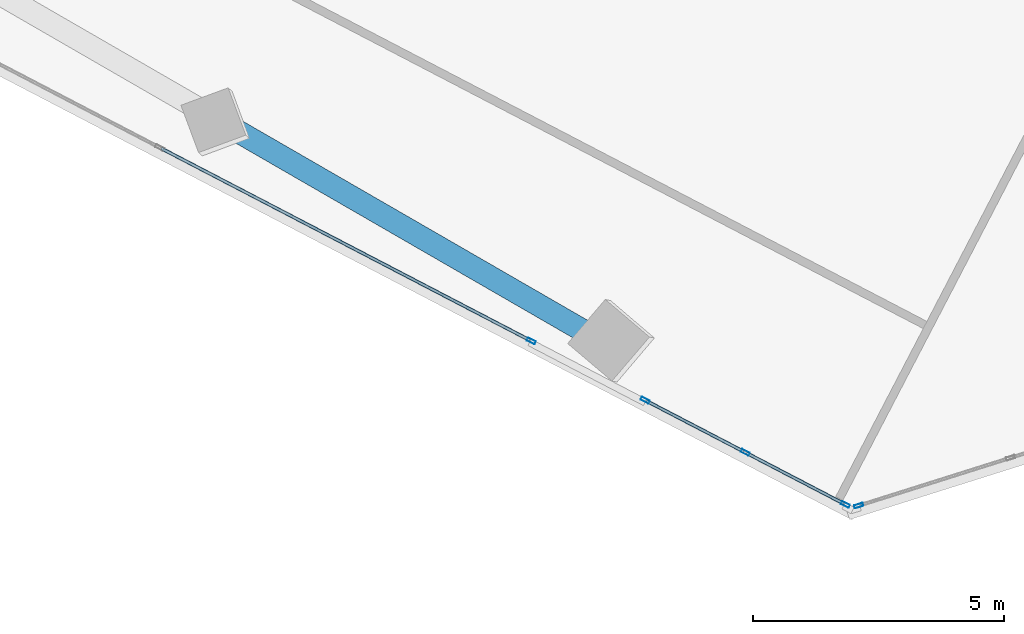
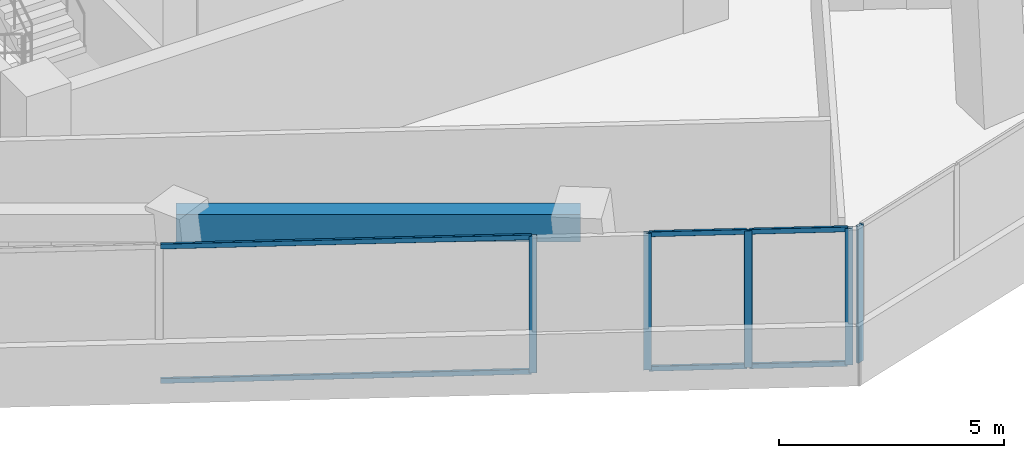
# One storey, part 3 of 22: 11 members, 1 beam, 3 elements without a shape of their own.
"""IFC4 building model written with IfcOpenShell, lengths in metres."""

from ifc_helpers import new_model, si_unit, direction, frame, origin, origin_2d, place, context, subcontext, project, spatial, rectangle, hollow_rectangle, extrude, source, transform, mapped, material, material_profile, profile_set, type_object, element, aggregate, save


model = new_model("IFC4")

# Units and contexts
model_context = context("Model", 3, precision=1e-05, world=origin(), true_north=direction((0.0, 1.0)))
body_context = subcontext(model_context, "Body", "Model", "MODEL_VIEW")
ifc_project = project(units=[si_unit("LENGTHUNIT", "METRE"), si_unit("AREAUNIT", "SQUARE_METRE"), si_unit("VOLUMEUNIT", "CUBIC_METRE"), si_unit("PLANEANGLEUNIT", "RADIAN"), si_unit("MASSUNIT", "GRAM", prefix="KILO")], contexts=[model_context])

# Site, building, storey
site_placement = place(None, origin())
site = spatial("IfcSite", under=ifc_project, at=site_placement, CompositionType="ELEMENT")
building_placement = place(site_placement, origin())
building = spatial("IfcBuilding", under=site, at=building_placement, Name="Torre Montelarca", CompositionType="ELEMENT")
storey_placement = place(building_placement, frame((0.0, 0.0, 175.0)))
storey = spatial("IfcBuildingStorey", under=building, at=storey_placement, Name="L39", CompositionType="ELEMENT", Elevation=175.0)

# Beam
ifc_material_1 = material(Name="Concrete C55/67", Category="concrete")
ifc_material_profile_1 = material_profile(ifc_material_1, rectangle(XDim=0.449951171875, YDim=0.75, at=origin_2d()), Name="RCB450X750", Category="concrete")
ifc_profile_set_1 = profile_set([ifc_material_profile_1], Name="Concrete C55/67")
beam_type = type_object("IfcBeamType", Name="BM-SP-RC750-EXT", PredefinedType="SPANDREL", material=ifc_profile_set_1)
shared_shape_1 = source(origin(), body_context, "Body", "SweptSolid", [
    extrude(rectangle(XDim=0.449951171875, YDim=0.75, at=origin_2d()), origin(), (0.0, 0.0, 1.0), 9.0),
])
beam_placement = place(storey_placement, frame((9.868896484375, 18.8544921875, 3.5849609375), z_axis=(0.866024315419, -0.5000018851, 0.0), x_axis=(0.5000018851, 0.866024315419, 0.0)))
element("IfcBeam", 1, at=beam_placement, inside=storey, type_object=beam_type, Name="L39 Grid Girder X 18.0-27.0 at Y=14.8", PredefinedType="SPANDREL", context=body_context, shape_type="MappedRepresentation", body=[
    mapped(shared_shape_1, transform((0.0, 0.0, 0.0), scale=1.0)),
])

# Curtain wall, member
ifc_material_2 = material(Name="Insulated low-E laminated glass", Category="glass")
curtain_wall_type = type_object("IfcCurtainWallType", Name="CW-SYS-Z2", PredefinedType="USERDEFINED", material=ifc_material_2)
curtain_wall_1_placement = place(storey_placement, origin())
curtain_wall_1 = element("IfcCurtainWall", 2, at=curtain_wall_1_placement, inside=storey, type_object=curtain_wall_type, Name="L39 Curtain Wall Run CW-T3-L39-E01-B1", ObjectType="UNITISED GLAZING", PredefinedType="USERDEFINED")
ifc_material_3 = material(Name="Anodised aluminium AA 6063-T6", Category="aluminium")
ifc_material_profile_2 = material_profile(ifc_material_3, hollow_rectangle(XDim=0.06494140625, YDim=0.179931640625, WallThickness=0.00390625, InnerFilletRadius=0.00390625, OuterFilletRadius=0.008056640625, at=origin_2d()), Name="ALU65X180X4", Category="aluminium")
ifc_profile_set_2 = profile_set([ifc_material_profile_2], Name="Anodised aluminium AA 6063-T6")
member_type_1 = type_object("IfcMemberType", Name="CWM-ALU180", PredefinedType="MULLION", material=ifc_profile_set_2)
shared_shape_2 = source(origin(), body_context, "Body", "SweptSolid", [
    extrude(hollow_rectangle(XDim=0.06494140625, YDim=0.179931640625, WallThickness=0.00390625, InnerFilletRadius=0.00390625, OuterFilletRadius=0.008056640625, at=origin_2d()), origin(), (0.0, 0.0, 1.0), 3.719970703125),
])
member_1_placement = place(storey_placement, frame((16.39990234375, 14.283203125, 0.0), z_axis=(0.0, 0.0, 1.0), x_axis=(0.461746558035, 0.887011903045, 0.0)))
member_1 = element("IfcMember", 3, at=member_1_placement, type_object=member_type_1, Name="CW mullion 3", PredefinedType="MULLION", context=body_context, shape_type="MappedRepresentation", body=[
    mapped(shared_shape_2, transform((0.0, 0.0, 0.0), scale=1.0)),
])

# Curtain wall, members
curtain_wall_2_placement = place(storey_placement, origin())
curtain_wall_2 = element("IfcCurtainWall", 4, at=curtain_wall_2_placement, inside=storey, type_object=curtain_wall_type, Name="L39 Curtain Wall Run CW-T3-L39-E01-B2", ObjectType="UNITISED GLAZING", PredefinedType="USERDEFINED")
member_2_placement = place(storey_placement, frame((18.66552734375, 13.103759765625, 0.0), z_axis=(0.0, 0.0, 1.0), x_axis=(0.461746635565, 0.887011862685, 0.0)))
member_2 = element("IfcMember", 5, at=member_2_placement, type_object=member_type_1, Name="CW mullion 1", PredefinedType="MULLION", context=body_context, shape_type="MappedRepresentation", body=[
    mapped(shared_shape_2, transform((0.0, 0.0, 0.0), scale=1.0)),
])
member_3_placement = place(storey_placement, frame((20.656982421875, 12.06689453125, 0.0), z_axis=(0.0, 0.0, 1.0), x_axis=(0.461746635565, 0.887011862685, 0.0)))
member_3 = element("IfcMember", 6, at=member_3_placement, type_object=member_type_1, Name="CW mullion 2", PredefinedType="MULLION", context=body_context, shape_type="MappedRepresentation", body=[
    mapped(shared_shape_2, transform((0.0, 0.0, 0.0), scale=1.0)),
])
member_4_placement = place(storey_placement, frame((22.648681640625, 11.0302734375, 0.0), z_axis=(0.0, 0.0, 1.0), x_axis=(0.461746635565, 0.887011862685, 0.0)))
member_4 = element("IfcMember", 7, at=member_4_placement, type_object=member_type_1, Name="CW mullion 3", PredefinedType="MULLION", context=body_context, shape_type="MappedRepresentation", body=[
    mapped(shared_shape_2, transform((0.0, 0.0, 0.0), scale=1.0)),
])

# Curtain wall, member
curtain_wall_3_placement = place(storey_placement, origin())
curtain_wall_3 = element("IfcCurtainWall", 8, at=curtain_wall_3_placement, inside=storey, type_object=curtain_wall_type, Name="L39 Curtain Wall Run CW-T3-L39-E02-B1", ObjectType="UNITISED GLAZING", PredefinedType="USERDEFINED")
member_5_placement = place(storey_placement, frame((22.914794921875, 11.007080078125, 0.0), z_axis=(0.0, 0.0, 1.0), x_axis=(-0.300702850836, 0.953717880455, 0.0)))
member_5 = element("IfcMember", 9, at=member_5_placement, type_object=member_type_1, Name="CW mullion 1", PredefinedType="MULLION", context=body_context, shape_type="MappedRepresentation", body=[
    mapped(shared_shape_2, transform((0.0, 0.0, 0.0), scale=1.0)),
])
aggregate(curtain_wall_3, [member_5])

# Member
ifc_material_profile_3 = material_profile(ifc_material_3, hollow_rectangle(XDim=0.06494140625, YDim=0.139892578125, WallThickness=0.00390625, InnerFilletRadius=0.00390625, OuterFilletRadius=0.008056640625, at=origin_2d()), Name="ALU65X140X4", Category="aluminium")
ifc_profile_set_3 = profile_set([ifc_material_profile_3], Name="Anodised aluminium AA 6063-T6")
member_type_2 = type_object("IfcMemberType", Name="CWT-ALU140", PredefinedType="USERDEFINED", material=ifc_profile_set_3)
shared_shape_3 = source(origin(), body_context, "Body", "SweptSolid", [
    extrude(hollow_rectangle(XDim=0.06494140625, YDim=0.139892578125, WallThickness=0.00390625, InnerFilletRadius=0.00390625, OuterFilletRadius=0.008056640625, at=origin_2d()), origin(), (0.0, 0.0, 1.0), 8.264404296875),
])
member_6_placement = place(storey_placement, frame((9.04052734375, 18.1142578125, 0.032470703125), z_axis=(0.887005343139, -0.461759159349, 0.0), x_axis=(0.461759159349, 0.887005343139, 0.0)))
member_6 = element("IfcMember", 10, at=member_6_placement, type_object=member_type_2, Name="CW transom 2.1", ObjectType="TRANSOM", PredefinedType="USERDEFINED", context=body_context, shape_type="MappedRepresentation", body=[
    mapped(shared_shape_3, transform((0.0, 0.0, 0.0), scale=1.0)),
])

member_7_placement = place(storey_placement, frame((9.04052734375, 18.1142578125, 3.6875), z_axis=(0.887005343139, -0.461759159349, 0.0), x_axis=(0.461759159349, 0.887005343139, 0.0)))
member_7 = element("IfcMember", 11, at=member_7_placement, type_object=member_type_2, Name="CW transom 2.2", ObjectType="TRANSOM", PredefinedType="USERDEFINED", context=body_context, shape_type="MappedRepresentation", body=[
    mapped(shared_shape_3, transform((0.0, 0.0, 0.0), scale=1.0)),
])

aggregate(curtain_wall_1, [member_1, member_6, member_7])

shared_shape_4 = source(origin(), body_context, "Body", "SweptSolid", [
    extrude(hollow_rectangle(XDim=0.06494140625, YDim=0.139892578125, WallThickness=0.00390625, InnerFilletRadius=0.00390625, OuterFilletRadius=0.008056640625, at=origin_2d()), origin(), (0.0, 0.0, 1.0), 2.18017578125),
])
member_8_placement = place(storey_placement, frame((18.6943359375, 13.0888671875, 0.032470703125), z_axis=(0.886983845732, -0.461800451938, 0.0), x_axis=(0.461800451938, 0.886983845732, 0.0)))
member_8 = element("IfcMember", 12, at=member_8_placement, type_object=member_type_2, Name="CW transom 1.1", ObjectType="TRANSOM", PredefinedType="USERDEFINED", context=body_context, shape_type="MappedRepresentation", body=[
    mapped(shared_shape_4, transform((0.0, 0.0, 0.0), scale=1.0)),
])

member_9_placement = place(storey_placement, frame((18.6943359375, 13.0888671875, 3.6875), z_axis=(0.886983845732, -0.461800451938, 0.0), x_axis=(0.461800451938, 0.886983845732, 0.0)))
member_9 = element("IfcMember", 13, at=member_9_placement, type_object=member_type_2, Name="CW transom 1.2", ObjectType="TRANSOM", PredefinedType="USERDEFINED", context=body_context, shape_type="MappedRepresentation", body=[
    mapped(shared_shape_4, transform((0.0, 0.0, 0.0), scale=1.0)),
])

member_10_placement = place(storey_placement, frame((20.68603515625, 12.052001953125, 0.032470703125), z_axis=(0.886983845732, -0.461800451938, 0.0), x_axis=(0.461800451938, 0.886983845732, 0.0)))
member_10 = element("IfcMember", 14, at=member_10_placement, type_object=member_type_2, Name="CW transom 2.1", ObjectType="TRANSOM", PredefinedType="USERDEFINED", context=body_context, shape_type="MappedRepresentation", body=[
    mapped(shared_shape_4, transform((0.0, 0.0, 0.0), scale=1.0)),
])

member_11_placement = place(storey_placement, frame((20.68603515625, 12.052001953125, 3.6875), z_axis=(0.886983845732, -0.461800451938, 0.0), x_axis=(0.461800451938, 0.886983845732, 0.0)))
member_11 = element("IfcMember", 15, at=member_11_placement, type_object=member_type_2, Name="CW transom 2.2", ObjectType="TRANSOM", PredefinedType="USERDEFINED", context=body_context, shape_type="MappedRepresentation", body=[
    mapped(shared_shape_4, transform((0.0, 0.0, 0.0), scale=1.0)),
])

aggregate(curtain_wall_2, [member_2, member_3, member_4, member_8, member_9, member_10, member_11])

save(model, "model.ifc")
